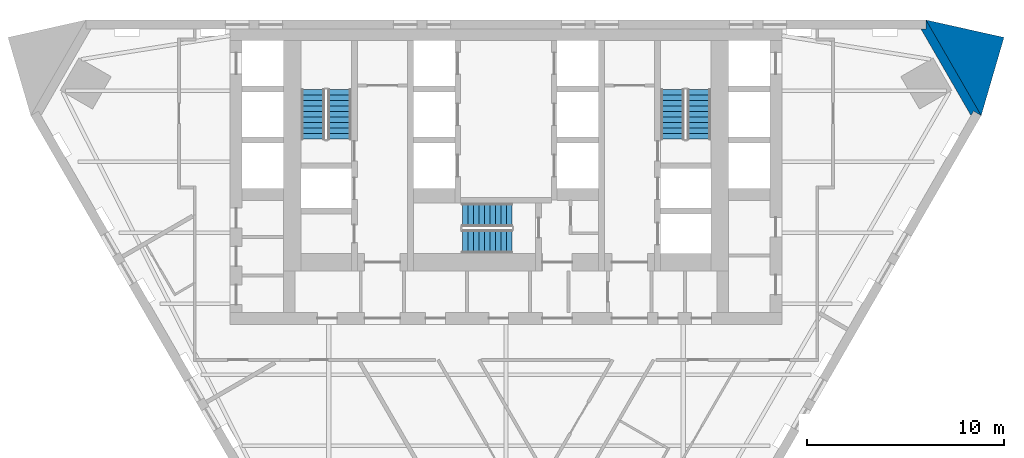
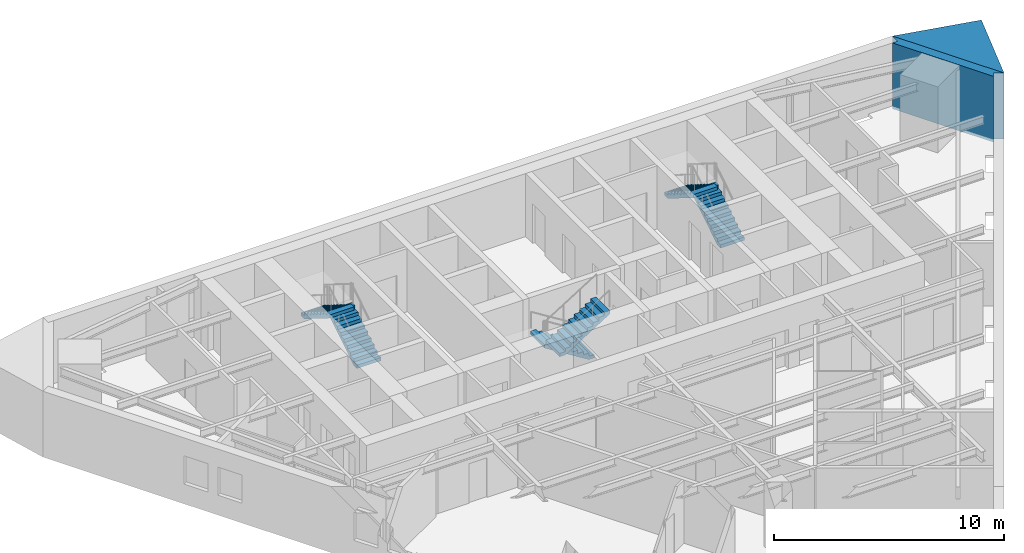
# One storey, part 7 of 9: 6 stair flights, 2 walls, 3 elements without a shape of their own.
"""IFC4 building model written with IfcOpenShell, lengths in metres."""

from ifc_helpers import new_model, si_unit, direction, frame, origin, place, context, subcontext, project, spatial, polyline, outline, extrude, material, layer, layer_set, type_object, element, aggregate, save


model = new_model("IFC4")

# Units and contexts
model_context = context("Model", 3, precision=1e-05, world=origin(), true_north=direction((0.0, 1.0)))
body_context = subcontext(model_context, "Body", "Model", "MODEL_VIEW")
ifc_project = project(units=[si_unit("LENGTHUNIT", "METRE"), si_unit("AREAUNIT", "SQUARE_METRE"), si_unit("VOLUMEUNIT", "CUBIC_METRE"), si_unit("PLANEANGLEUNIT", "RADIAN"), si_unit("MASSUNIT", "GRAM", prefix="KILO")], contexts=[model_context])

# Site, building, storey
site_placement = place(None, origin())
site = spatial("IfcSite", under=ifc_project, at=site_placement, CompositionType="ELEMENT")
building_placement = place(site_placement, origin())
building = spatial("IfcBuilding", under=site, at=building_placement, Name="Aloe Facet Convention Tower", CompositionType="ELEMENT")
storey_placement = place(building_placement, frame((0.0, 0.0, 99.300048828125)))
storey = spatial("IfcBuildingStorey", under=building, at=storey_placement, Name="L24", CompositionType="ELEMENT", Elevation=99.300048828125)

# Walls
ifc_material_1 = material(Name="Precast concrete C40/50", Category="concrete")
ifc_layer_1 = layer(ifc_material_1, 0.449951171875)
ifc_layer_set_1 = layer_set([ifc_layer_1], Name="EV-WALL-PIER")
wall_type_1 = type_object("IfcWallType", Name="EV-WALL-PIER", PredefinedType="SOLIDWALL", material=ifc_layer_set_1)
wall_1_placement = place(storey_placement, frame((0.0, 0.0, -0.150146484375)))
element("IfcWall", 1, at=wall_1_placement, inside=storey, type_object=wall_type_1, Name="EP-L24-C", PredefinedType="SOLIDWALL", context=body_context, shape_type="SweptSolid", body=[
    extrude(outline(polyline([(104.12158203125, 130.150146484375), (103.73193359375, 130.375244140625), (103.601806640625, 130.150146484375), (101.061767578125, 134.550048828125), (101.321533203125, 134.550048828125), (101.321533203125, 135.0), (104.12158203125, 130.150146484375)])), origin(), (0.0, 0.0, 1.0), 3.5),
])
ifc_material_2 = material(Name="Precast concrete C40/50", Category="concrete")
ifc_layer_2 = layer(ifc_material_2, 3.947998046875)
ifc_layer_set_2 = layer_set([ifc_layer_2], Name="EV-WALL-SPINE")
wall_type_2 = type_object("IfcWallType", Name="EV-WALL-SPINE", PredefinedType="SOLIDWALL", material=ifc_layer_set_2)
wall_2_placement = place(storey_placement, frame((0.0, 0.0, -0.150146484375)))
element("IfcWall", 2, at=wall_2_placement, inside=storey, type_object=wall_type_2, Name="SP-NE-L24", PredefinedType="SOLIDWALL", context=body_context, shape_type="SweptSolid", body=[
    extrude(outline(polyline([(104.12158203125, 130.150146484375), (105.27880859375, 134.1171875), (101.321533203125, 135.0), (104.12158203125, 130.150146484375)])), origin(), (0.0, 0.0, 1.0), 3.5),
])

# Stair, stair flights
ifc_material_3 = material(Name="Concrete C50/60", Category="concrete")
stair_type = type_object("IfcStairType", Name="CR-ST-20R", PredefinedType="HALF_TURN_STAIR", material=ifc_material_3)
stair_1_placement = place(storey_placement, origin())
stair_1 = element("IfcStair", 3, at=stair_1_placement, inside=storey, type_object=stair_type, Name="L24 Protected exit stair ST1", PredefinedType="HALF_TURN_STAIR")
ifc_material_4 = material(Name="Concrete C50/60", Category="concrete")
stair_flight_type = type_object("IfcStairFlightType", Name="CR-SFL-20R", PredefinedType="STRAIGHT", material=ifc_material_4)
stair_flight_1_placement = place(storey_placement, frame((71.550048828125, 128.949951171875, 0.0), z_axis=(0.0, 0.0, 1.0), x_axis=(0.0, 1.0, 0.0)))
stair_flight_1 = element("IfcStairFlight", 4, at=stair_flight_1_placement, type_object=stair_flight_type, Name="ST1 flight 1", NumberOfRisers=10, NumberOfTreads=9, PredefinedType="STRAIGHT", RiserHeight=0.175, TreadLength=0.28, context=body_context, shape_type="SweptSolid", body=[
    extrude(outline(polyline([(0.0, 0.0), (0.0, 0.175048828125), (0.280029296875, 0.175048828125), (0.280029296875, 0.35009765625), (0.56005859375, 0.35009765625), (0.56005859375, 0.52490234375), (0.840087890625, 0.52490234375), (0.840087890625, 0.699951171875), (1.1201171875, 0.699951171875), (1.1201171875, 0.875), (1.39990234375, 0.875), (1.39990234375, 1.050048828125), (1.679931640625, 1.050048828125), (1.679931640625, 1.22509765625), (1.9599609375, 1.22509765625), (1.9599609375, 1.39990234375), (2.239990234375, 1.39990234375), (2.239990234375, 1.574951171875), (2.52001953125, 1.574951171875), (2.52001953125, 1.75), (2.52001953125, 1.398193359375), (0.28271484375, 0.0), (0.0, 0.0)])), frame((0.0, 0.60009765625, 0.0), z_axis=(0.0, -1.0, 0.0), x_axis=(1.0, 0.0, 0.0)), (0.0, 0.0, 1.0), 1.199951171875),
])
stair_flight_2_placement = place(storey_placement, frame((70.199951171875, 131.469970703125, 1.75), z_axis=(0.0, 0.0, 1.0), x_axis=(0.0, -1.0, 0.0)))
stair_flight_2 = element("IfcStairFlight", 5, at=stair_flight_2_placement, type_object=stair_flight_type, Name="ST1 flight 2", NumberOfRisers=10, NumberOfTreads=9, PredefinedType="STRAIGHT", RiserHeight=0.175, TreadLength=0.28, context=body_context, shape_type="SweptSolid", body=[
    extrude(outline(polyline([(0.0, 0.0), (0.0, 0.175048828125), (0.280029296875, 0.175048828125), (0.280029296875, 0.35009765625), (0.56005859375, 0.35009765625), (0.56005859375, 0.52490234375), (0.840087890625, 0.52490234375), (0.840087890625, 0.699951171875), (1.1201171875, 0.699951171875), (1.1201171875, 0.875), (1.39990234375, 0.875), (1.39990234375, 1.050048828125), (1.679931640625, 1.050048828125), (1.679931640625, 1.22509765625), (1.9599609375, 1.22509765625), (1.9599609375, 1.39990234375), (2.239990234375, 1.39990234375), (2.239990234375, 1.574951171875), (2.52001953125, 1.574951171875), (2.52001953125, 1.75), (2.52001953125, 1.398193359375), (0.28271484375, 0.0), (0.0, 0.0)])), frame((0.0, 0.60009765625, 0.0), z_axis=(0.0, -1.0, 0.0), x_axis=(1.0, 0.0, 0.0)), (0.0, 0.0, 1.0), 1.199951171875),
])
aggregate(stair_1, [stair_flight_1, stair_flight_2])

stair_2_placement = place(storey_placement, origin())
stair_2 = element("IfcStair", 6, at=stair_2_placement, inside=storey, type_object=stair_type, Name="L24 Protected exit stair ST2", PredefinedType="HALF_TURN_STAIR")
stair_flight_3_placement = place(storey_placement, frame((89.800048828125, 128.949951171875, 0.0), z_axis=(0.0, 0.0, 1.0), x_axis=(0.0, 1.0, 0.0)))
stair_flight_3 = element("IfcStairFlight", 7, at=stair_flight_3_placement, type_object=stair_flight_type, Name="ST2 flight 1", NumberOfRisers=10, NumberOfTreads=9, PredefinedType="STRAIGHT", RiserHeight=0.175, TreadLength=0.28, context=body_context, shape_type="SweptSolid", body=[
    extrude(outline(polyline([(0.0, 0.0), (0.0, 0.175048828125), (0.280029296875, 0.175048828125), (0.280029296875, 0.35009765625), (0.56005859375, 0.35009765625), (0.56005859375, 0.52490234375), (0.840087890625, 0.52490234375), (0.840087890625, 0.699951171875), (1.1201171875, 0.699951171875), (1.1201171875, 0.875), (1.39990234375, 0.875), (1.39990234375, 1.050048828125), (1.679931640625, 1.050048828125), (1.679931640625, 1.22509765625), (1.9599609375, 1.22509765625), (1.9599609375, 1.39990234375), (2.239990234375, 1.39990234375), (2.239990234375, 1.574951171875), (2.52001953125, 1.574951171875), (2.52001953125, 1.75), (2.52001953125, 1.398193359375), (0.28271484375, 0.0), (0.0, 0.0)])), frame((0.0, 0.60009765625, 0.0), z_axis=(0.0, -1.0, 0.0), x_axis=(1.0, 0.0, 0.0)), (0.0, 0.0, 1.0), 1.199951171875),
])
stair_flight_4_placement = place(storey_placement, frame((88.449951171875, 131.469970703125, 1.75), z_axis=(0.0, 0.0, 1.0), x_axis=(0.0, -1.0, 0.0)))
stair_flight_4 = element("IfcStairFlight", 8, at=stair_flight_4_placement, type_object=stair_flight_type, Name="ST2 flight 2", NumberOfRisers=10, NumberOfTreads=9, PredefinedType="STRAIGHT", RiserHeight=0.175, TreadLength=0.28, context=body_context, shape_type="SweptSolid", body=[
    extrude(outline(polyline([(0.0, 0.0), (0.0, 0.175048828125), (0.280029296875, 0.175048828125), (0.280029296875, 0.35009765625), (0.56005859375, 0.35009765625), (0.56005859375, 0.52490234375), (0.840087890625, 0.52490234375), (0.840087890625, 0.699951171875), (1.1201171875, 0.699951171875), (1.1201171875, 0.875), (1.39990234375, 0.875), (1.39990234375, 1.050048828125), (1.679931640625, 1.050048828125), (1.679931640625, 1.22509765625), (1.9599609375, 1.22509765625), (1.9599609375, 1.39990234375), (2.239990234375, 1.39990234375), (2.239990234375, 1.574951171875), (2.52001953125, 1.574951171875), (2.52001953125, 1.75), (2.52001953125, 1.398193359375), (0.28271484375, 0.0), (0.0, 0.0)])), frame((0.0, 0.60009765625, 0.0), z_axis=(0.0, -1.0, 0.0), x_axis=(1.0, 0.0, 0.0)), (0.0, 0.0, 1.0), 1.199951171875),
])
aggregate(stair_2, [stair_flight_3, stair_flight_4])

stair_3_placement = place(storey_placement, origin())
stair_3 = element("IfcStair", 9, at=stair_3_placement, inside=storey, type_object=stair_type, Name="L24 Protected exit stair ST3", PredefinedType="HALF_TURN_STAIR")
stair_flight_5_placement = place(storey_placement, frame((80.300048828125, 125.10009765625, 0.0), z_axis=(0.0, 0.0, 1.0), x_axis=(-1.0, 0.0, 0.0)))
stair_flight_5 = element("IfcStairFlight", 10, at=stair_flight_5_placement, type_object=stair_flight_type, Name="ST3 flight 1", NumberOfRisers=10, NumberOfTreads=9, PredefinedType="STRAIGHT", RiserHeight=0.175, TreadLength=0.28, context=body_context, shape_type="SweptSolid", body=[
    extrude(outline(polyline([(0.0, 0.0), (0.0, 0.175048828125), (0.280029296875, 0.175048828125), (0.280029296875, 0.35009765625), (0.56005859375, 0.35009765625), (0.56005859375, 0.52490234375), (0.840087890625, 0.52490234375), (0.840087890625, 0.699951171875), (1.1201171875, 0.699951171875), (1.1201171875, 0.875), (1.39990234375, 0.875), (1.39990234375, 1.050048828125), (1.679931640625, 1.050048828125), (1.679931640625, 1.22509765625), (1.9599609375, 1.22509765625), (1.9599609375, 1.39990234375), (2.239990234375, 1.39990234375), (2.239990234375, 1.574951171875), (2.52001953125, 1.574951171875), (2.52001953125, 1.75), (2.52001953125, 1.398193359375), (0.28271484375, 0.0), (0.0, 0.0)])), frame((0.0, 0.60009765625, 0.0), z_axis=(0.0, -1.0, 0.0), x_axis=(1.0, 0.0, 0.0)), (0.0, 0.0, 1.0), 1.199951171875),
])
stair_flight_6_placement = place(storey_placement, frame((77.780029296875, 123.75, 1.75), z_axis=(0.0, 0.0, 1.0), x_axis=(1.0, 0.0, 0.0)))
stair_flight_6 = element("IfcStairFlight", 11, at=stair_flight_6_placement, type_object=stair_flight_type, Name="ST3 flight 2", NumberOfRisers=10, NumberOfTreads=9, PredefinedType="STRAIGHT", RiserHeight=0.175, TreadLength=0.28, context=body_context, shape_type="SweptSolid", body=[
    extrude(outline(polyline([(0.0, 0.0), (0.0, 0.175048828125), (0.280029296875, 0.175048828125), (0.280029296875, 0.35009765625), (0.56005859375, 0.35009765625), (0.56005859375, 0.52490234375), (0.840087890625, 0.52490234375), (0.840087890625, 0.699951171875), (1.1201171875, 0.699951171875), (1.1201171875, 0.875), (1.39990234375, 0.875), (1.39990234375, 1.050048828125), (1.679931640625, 1.050048828125), (1.679931640625, 1.22509765625), (1.9599609375, 1.22509765625), (1.9599609375, 1.39990234375), (2.239990234375, 1.39990234375), (2.239990234375, 1.574951171875), (2.52001953125, 1.574951171875), (2.52001953125, 1.75), (2.52001953125, 1.398193359375), (0.28271484375, 0.0), (0.0, 0.0)])), frame((0.0, 0.60009765625, 0.0), z_axis=(0.0, -1.0, 0.0), x_axis=(1.0, 0.0, 0.0)), (0.0, 0.0, 1.0), 1.199951171875),
])
aggregate(stair_3, [stair_flight_5, stair_flight_6])

save(model, "model.ifc")
